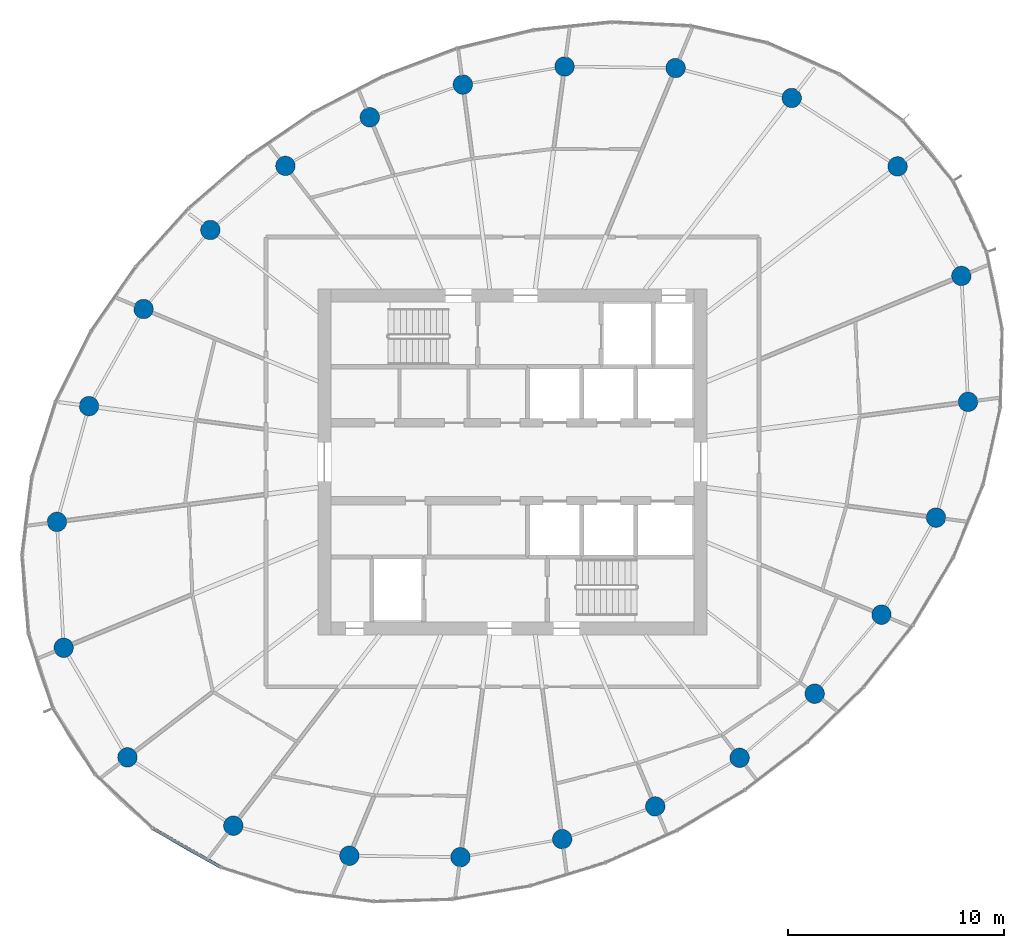
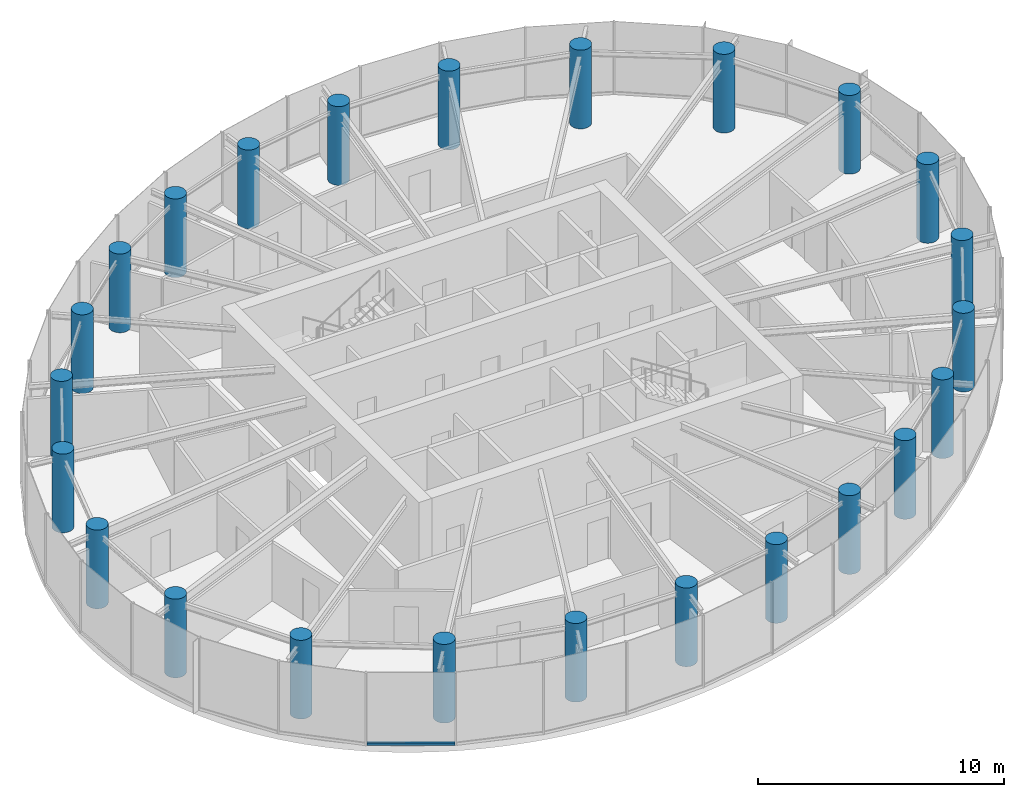
# One storey, part 1 of 15: 24 columns, 1 member, 1 element without a shape of its own.
"""IFC4 building model written with IfcOpenShell, lengths in metres."""

from ifc_helpers import new_model, si_unit, direction, frame, origin, origin_2d, place, context, subcontext, project, spatial, rectangle, circle, extrude, source, transform, mapped, material, layer, layer_set, material_profile, profile_set, type_object, element, aggregate, save


model = new_model("IFC4")

# Units and contexts
model_context = context("Model", 3, precision=1e-05, world=origin(), true_north=direction((0.0, 1.0)))
body_context = subcontext(model_context, "Body", "Model", "MODEL_VIEW")
ifc_project = project(units=[si_unit("LENGTHUNIT", "METRE"), si_unit("AREAUNIT", "SQUARE_METRE"), si_unit("VOLUMEUNIT", "CUBIC_METRE"), si_unit("PLANEANGLEUNIT", "RADIAN"), si_unit("MASSUNIT", "GRAM", prefix="KILO")], contexts=[model_context])

# Site, building, storey
site_placement = place(None, origin())
site = spatial("IfcSite", under=ifc_project, at=site_placement, CompositionType="ELEMENT")
building_placement = place(site_placement, origin())
building = spatial("IfcBuilding", under=site, at=building_placement, Name="Spindrift Exchange Tower", CompositionType="ELEMENT")
storey_placement = place(building_placement, frame((0.0, 0.0, 195.5)))
storey = spatial("IfcBuildingStorey", under=building, at=storey_placement, Name="L47", CompositionType="ELEMENT", Elevation=195.5)

# Columns
ifc_material_1 = material(Name="Concrete 50 MPa", Category="concrete")
ifc_material_profile_1 = material_profile(ifc_material_1, circle(Radius=0.449951171875, at=origin_2d()), Name="RC D900")
ifc_profile_set_1 = profile_set([ifc_material_profile_1], Name="Concrete 50 MPa")
column_type = type_object("IfcColumnType", Name="RC Perimeter Column D900 Concrete 50 MPa", PredefinedType="COLUMN", material=ifc_profile_set_1)
shared_shape_1 = source(origin(), body_context, "Body", "SweptSolid", [
    extrude(circle(Radius=0.449951171875, at=origin_2d()), origin(), (0.0, 0.0, 1.0), 3.89990234375),
])
for number, where, z_axis, x_axis, name in (
    (1, (73.062255859375, 50.77294921875, 0.0), (0.0, 0.0, 1.0), (1.0, 0.0, 0.0), "Perimeter column P4-01 L47"),
    (2, (72.753173828125, 56.59619140625, 0.0), (0.0, 0.0, 1.0), (1.0, 0.0, 0.0), "Perimeter column P4-02 L47"),
    (3, (69.802001953125, 61.659912109375, 0.0), (0.0, 0.0, 1.0), (1.0, 0.0, 0.0), "Perimeter column P4-03 L47"),
    (4, (64.90869140625, 64.822998046875, 0.0), (0.0, 0.0, 1.0), (1.0, 0.0, 0.0), "Perimeter column P4-04 L47"),
    (5, (59.542724609375, 66.209716796875, 0.0), (0.0, 0.0, 1.0), (1.0, 0.0, 0.0), "Perimeter column P4-05 L47"),
    (6, (54.406494140625, 66.2783203125, 0.0), (0.0, 0.0, 1.0), (1.0, 0.0, 0.0), "Perimeter column P4-06 L47"),
    (7, (49.70361328125, 65.4423828125, 0.0), (0.0, 0.0, 1.0), (1.0, 0.0, 0.0), "Perimeter column P4-07 L47"),
    (8, (45.40087890625, 63.931396484375, 0.0), (0.0, 0.0, 1.0), (1.0, 0.0, 0.0), "Perimeter column P4-08 L47"),
    (9, (41.500732421875, 61.68310546875, 0.0), (0.0, 0.0, 1.0), (1.0, 0.0, 0.0), "Perimeter column P4-09 L47"),
    (10, (38.029052734375, 58.72021484375, 0.0), (0.0, 0.0, 1.0), (1.0, 0.0, 0.0), "Perimeter column P4-10 L47"),
    (11, (34.940673828125, 55.066162109375, 0.0), (0.0, 0.0, 1.0), (1.0, 0.0, 0.0), "Perimeter column P4-11 L47"),
    (12, (32.4189453125, 50.577880859375, 0.0), (0.0, 0.0, 1.0), (1.0, 0.0, 0.0), "Perimeter column P4-12 L47"),
    (13, (30.937744140625, 45.22705078125, 0.0), (0.0, 0.0, 1.0), (1.0, 0.0, 0.0), "Perimeter column P4-13 L47"),
    (14, (31.246826171875, 39.40380859375, 0.0), (0.0, 0.0, 1.0), (1.0, 0.0, 0.0), "Perimeter column P4-14 L47"),
    (15, (34.197998046875, 34.340087890625, 0.0), (0.0, 0.0, 1.0), (1.0, 0.0, 0.0), "Perimeter column P4-15 L47"),
    (16, (39.09130859375, 31.177001953125, 0.0), (0.0, 0.0, 1.0), (1.0, 0.0, 0.0), "Perimeter column P4-16 L47"),
    (17, (44.457275390625, 29.790283203125, 0.0), (0.0, 0.0, 1.0), (1.0, 0.0, 0.0), "Perimeter column P4-17 L47"),
    (18, (49.593505859375, 29.7216796875, 0.0), (0.0, 0.0, 1.0), (1.0, 0.0, 0.0), "Perimeter column P4-18 L47"),
    (19, (54.29638671875, 30.5576171875, 0.0), (0.0, 0.0, 1.0), (1.0, 0.0, 0.0), "Perimeter column P4-19 L47"),
    (20, (58.59912109375, 32.068603515625, 0.0), (0.0, 0.0, 1.0), (1.0, 0.0, 0.0), "Perimeter column P4-20 L47"),
    (21, (62.499267578125, 34.31689453125, 0.0), (0.0, 0.0, 1.0), (1.0, 0.0, 0.0), "Perimeter column P4-21 L47"),
    (22, (65.970947265625, 37.27978515625, 0.0), (0.0, 0.0, 1.0), (1.0, 0.0, 0.0), "Perimeter column P4-22 L47"),
    (23, (69.059326171875, 40.933837890625, 0.0), (0.0, 0.0, 1.0), (1.0, 0.0, 0.0), "Perimeter column P4-23 L47"),
    (24, (71.5810546875, 45.422119140625, 0.0), (0.0, 0.0, 1.0), (1.0, 0.0, 0.0), "Perimeter column P4-24 L47"),
):
    element("IfcColumn", number, at=place(storey_placement, frame(where, z_axis=z_axis, x_axis=x_axis)), inside=storey, type_object=column_type, Name=name, PredefinedType="COLUMN", context=body_context, shape_type="MappedRepresentation", body=[
        mapped(shared_shape_1, transform((0.0, 0.0, 0.0), scale=1.0)),
    ])

# Curtain wall, member
ifc_material_2 = material(Name="Fritted laminated glass with bronze frame", Category="glass")
ifc_layer = layer(ifc_material_2, 0.169921875)
ifc_layer_set = layer_set([ifc_layer], Name="ZONE 4 BRONZE FRITTED WALL")
curtain_wall_type = type_object("IfcCurtainWallType", Name="ZONE 4 BRONZE FRITTED WALL", PredefinedType="NOTDEFINED", material=ifc_layer_set)
curtain_wall_placement = place(storey_placement, origin())
curtain_wall = element("IfcCurtainWall", 25, at=curtain_wall_placement, inside=storey, type_object=curtain_wall_type, Name="L47 Zone 4 Bronze Fritted Wall run 4", PredefinedType="NOTDEFINED")
ifc_material_3 = material(Name="Bronze anodised aluminium", Category="aluminium")
ifc_material_profile_2 = material_profile(ifc_material_3, rectangle(XDim=0.14990234375, YDim=0.125, at=origin_2d()), Name="ZONE 4 BRONZE FRITTED WALL TRANSOM 150X125")
ifc_profile_set_2 = profile_set([ifc_material_profile_2], Name="Bronze anodised aluminium")
member_type = type_object("IfcMemberType", Name="ZONE 4 BRONZE FRITTED WALL TRANSOM 150X125", PredefinedType="USERDEFINED", material=ifc_profile_set_2)
shared_shape_2 = source(origin(), body_context, "Body", "SweptSolid", [
    extrude(rectangle(XDim=0.14990234375, YDim=0.125, at=origin_2d()), origin(), (0.0, 0.0, 1.0), 3.572509765625),
])
member_placement = place(storey_placement, frame((35.383544921875, 31.04248046875, 0.0625), z_axis=(0.868562568608, -0.495579523804, 0.0), x_axis=(0.495579523804, 0.868562568608, 0.0)))
member = element("IfcMember", 26, at=member_placement, type_object=member_type, Name="L47 transom CW-4.21", ObjectType="TRANSOM", PredefinedType="USERDEFINED", context=body_context, shape_type="MappedRepresentation", body=[
    mapped(shared_shape_2, transform((0.0, 0.0, 0.0), scale=1.0)),
])
aggregate(curtain_wall, [member])

save(model, "model.ifc")
